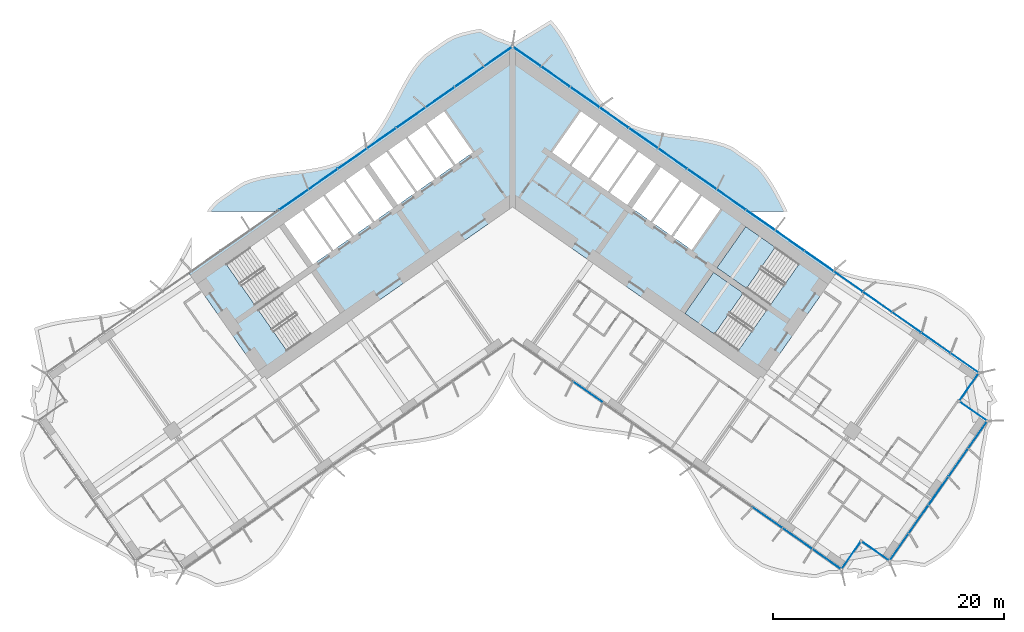
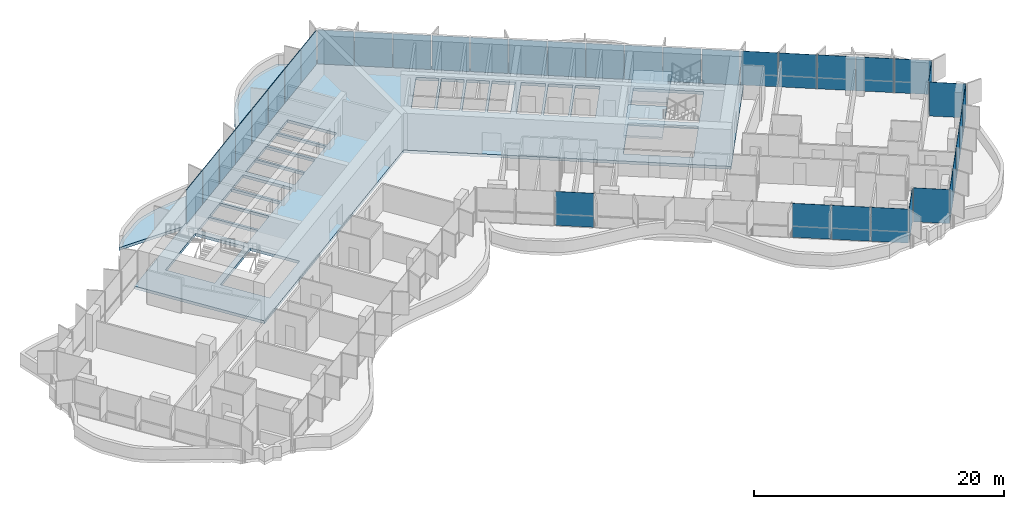
# One storey, part 11 of 23: 37 plates, 4 slabs, 4 elements without a shape of their own.
"""IFC4 building model written with IfcOpenShell, lengths in metres."""

from ifc_helpers import new_model, si_unit, direction, frame, origin, origin_2d, place, context, subcontext, project, spatial, polyline, rectangle, outline, extrude, material, layer, layer_set, type_object, element, aggregate, save


model = new_model("IFC4")

# Units and contexts
model_context = context("Model", 3, precision=1e-05, world=origin(), true_north=direction((0.0, 1.0)))
body_context = subcontext(model_context, "Body", "Model", "MODEL_VIEW")
ifc_project = project(units=[si_unit("LENGTHUNIT", "METRE"), si_unit("AREAUNIT", "SQUARE_METRE"), si_unit("VOLUMEUNIT", "CUBIC_METRE"), si_unit("PLANEANGLEUNIT", "RADIAN"), si_unit("MASSUNIT", "GRAM", prefix="KILO")], contexts=[model_context])

# Site, building, storey
site_placement = place(None, origin())
site = spatial("IfcSite", under=ifc_project, at=site_placement, CompositionType="ELEMENT")
building_placement = place(site_placement, origin())
building = spatial("IfcBuilding", under=site, at=building_placement, Name="Tel Ilan Convention Tower", CompositionType="ELEMENT")
storey_placement = place(building_placement, frame((0.0, 0.0, 112.10009765625)))
storey = spatial("IfcBuildingStorey", under=building, at=storey_placement, Name="L24", CompositionType="ELEMENT", Elevation=112.10009765625)

# Curtain wall, plates
ifc_material_1 = material(Name="Aluminium, bronze anodised", Category="aluminium")
curtain_wall_type_1 = type_object("IfcCurtainWallType", Name="CW1 UNITISED CURTAIN WALL, HOTEL TINTED GLASS", PredefinedType="NOTDEFINED", material=ifc_material_1)
curtain_wall_1_placement = place(storey_placement, origin())
curtain_wall_1 = element("IfcCurtainWall", 1, at=curtain_wall_1_placement, inside=storey, type_object=curtain_wall_type_1, Name="Curtain wall CW1-20.02", PredefinedType="NOTDEFINED")
ifc_material_2 = material(Name="Glass, bronze tinted, two-ply unitised", Category="glass")
ifc_layer_1 = layer(ifc_material_2, 0.028076171875)
ifc_layer_set_1 = layer_set([ifc_layer_1], Name="CW HOTEL GLASS PANEL 28")
plate_type_1 = type_object("IfcPlateType", Name="CW HOTEL GLASS PANEL 28", PredefinedType="CURTAIN_PANEL", material=ifc_layer_set_1)
plate_1_placement = place(storey_placement, frame((6.544921875, -17.27880859375, 0.0), z_axis=(0.0, 0.0, 1.0), x_axis=(0.819152044289, -0.573576436351, 0.0)))
plate_1 = element("IfcPlate", 2, at=plate_1_placement, type_object=plate_type_1, Name="Glass panel", PredefinedType="CURTAIN_PANEL", context=body_context, shape_type="SweptSolid", body=[
    extrude(rectangle(XDim=3.10791015625, YDim=0.028076171875, at=origin_2d()), origin(), (0.0, 0.0, 1.0), 3.320068359375),
])
plate_2_placement = place(storey_placement, frame((22.115478515625, -28.181396484375, 0.0), z_axis=(0.0, 0.0, 1.0), x_axis=(0.819152044289, -0.573576436351, 0.0)))
plate_2 = element("IfcPlate", 3, at=plate_2_placement, type_object=plate_type_1, Name="Glass panel", PredefinedType="CURTAIN_PANEL", context=body_context, shape_type="SweptSolid", body=[
    extrude(rectangle(XDim=3.10791015625, YDim=0.028076171875, at=origin_2d()), origin(), (0.0, 0.0, 1.0), 3.320068359375),
])
plate_3_placement = place(storey_placement, frame((24.71044921875, -29.99853515625, 0.0), z_axis=(0.0, 0.0, 1.0), x_axis=(0.819152044289, -0.573576436351, 0.0)))
plate_3 = element("IfcPlate", 4, at=plate_3_placement, type_object=plate_type_1, Name="Glass panel", PredefinedType="CURTAIN_PANEL", context=body_context, shape_type="SweptSolid", body=[
    extrude(rectangle(XDim=3.10791015625, YDim=0.028076171875, at=origin_2d()), origin(), (0.0, 0.0, 1.0), 3.320068359375),
])
plate_4_placement = place(storey_placement, frame((27.26708984375, -31.78857421875, 0.0), z_axis=(0.0, 0.0, 1.0), x_axis=(0.819152044289, -0.573576436351, 0.0)))
plate_4 = element("IfcPlate", 5, at=plate_4_placement, type_object=plate_type_1, Name="Glass panel", PredefinedType="CURTAIN_PANEL", context=body_context, shape_type="SweptSolid", body=[
    extrude(rectangle(XDim=3.013916015625, YDim=0.028076171875, at=origin_2d()), origin(), (0.0, 0.0, 1.0), 3.320068359375),
])
plate_5_placement = place(storey_placement, frame((29.359375, -31.469482421875, 0.0), z_axis=(0.0, 0.0, 1.0), x_axis=(0.573576436351, 0.819152044289, 0.0)))
plate_5 = element("IfcPlate", 6, at=plate_5_placement, type_object=plate_type_1, Name="Glass panel", PredefinedType="CURTAIN_PANEL", context=body_context, shape_type="SweptSolid", body=[
    extrude(rectangle(XDim=2.875, YDim=0.028076171875, at=origin_2d()), origin(), (0.0, 0.0, 1.0), 3.320068359375),
])
plate_6_placement = place(storey_placement, frame((31.502197265625, -31.091796875, 0.0), z_axis=(0.0, 0.0, 1.0), x_axis=(0.819152044289, -0.573576436351, 0.0)))
plate_6 = element("IfcPlate", 7, at=plate_6_placement, type_object=plate_type_1, Name="Glass panel", PredefinedType="CURTAIN_PANEL", context=body_context, shape_type="SweptSolid", body=[
    extrude(rectangle(XDim=2.875, YDim=0.028076171875, at=origin_2d()), origin(), (0.0, 0.0, 1.0), 3.320068359375),
])
plate_7_placement = place(storey_placement, frame((33.529296875, -30.74462890625, 0.0), z_axis=(0.0, 0.0, 1.0), x_axis=(0.573576436351, 0.819152044289, 0.0)))
plate_7 = element("IfcPlate", 8, at=plate_7_placement, type_object=plate_type_1, Name="Glass panel", PredefinedType="CURTAIN_PANEL", context=body_context, shape_type="SweptSolid", body=[
    extrude(rectangle(XDim=2.845947265625, YDim=0.028076171875, at=origin_2d()), origin(), (0.0, 0.0, 1.0), 3.320068359375),
])
plate_8_placement = place(storey_placement, frame((35.22314453125, -28.32568359375, 0.0), z_axis=(0.0, 0.0, 1.0), x_axis=(0.573576436351, 0.819152044289, 0.0)))
plate_8 = element("IfcPlate", 9, at=plate_8_placement, type_object=plate_type_1, Name="Glass panel", PredefinedType="CURTAIN_PANEL", context=body_context, shape_type="SweptSolid", body=[
    extrude(rectangle(XDim=2.93994140625, YDim=0.028076171875, at=origin_2d()), origin(), (0.0, 0.0, 1.0), 3.320068359375),
])
plate_9_placement = place(storey_placement, frame((36.94384765625, -25.868408203125, 0.0), z_axis=(0.0, 0.0, 1.0), x_axis=(0.573576436351, 0.819152044289, 0.0)))
plate_9 = element("IfcPlate", 10, at=plate_9_placement, type_object=plate_type_1, Name="Glass panel", PredefinedType="CURTAIN_PANEL", context=body_context, shape_type="SweptSolid", body=[
    extrude(rectangle(XDim=2.93994140625, YDim=0.028076171875, at=origin_2d()), origin(), (0.0, 0.0, 1.0), 3.320068359375),
])
plate_10_placement = place(storey_placement, frame((38.66455078125, -23.410888671875, 0.0), z_axis=(0.0, 0.0, 1.0), x_axis=(0.573576436351, 0.819152044289, 0.0)))
plate_10 = element("IfcPlate", 11, at=plate_10_placement, type_object=plate_type_1, Name="Glass panel", PredefinedType="CURTAIN_PANEL", context=body_context, shape_type="SweptSolid", body=[
    extrude(rectangle(XDim=2.93994140625, YDim=0.028076171875, at=origin_2d()), origin(), (0.0, 0.0, 1.0), 3.320068359375),
])
plate_11_placement = place(storey_placement, frame((40.358154296875, -20.991943359375, 0.0), z_axis=(0.0, 0.0, 1.0), x_axis=(0.573576436351, 0.819152044289, 0.0)))
plate_11 = element("IfcPlate", 12, at=plate_11_placement, type_object=plate_type_1, Name="Glass panel", PredefinedType="CURTAIN_PANEL", context=body_context, shape_type="SweptSolid", body=[
    extrude(rectangle(XDim=2.845947265625, YDim=0.028076171875, at=origin_2d()), origin(), (0.0, 0.0, 1.0), 3.320068359375),
])
plate_12_placement = place(storey_placement, frame((39.990966796875, -18.96826171875, 0.0), z_axis=(0.0, 0.0, 1.0), x_axis=(-0.819152044289, 0.573576436351, 0.0)))
plate_12 = element("IfcPlate", 13, at=plate_12_placement, type_object=plate_type_1, Name="Glass panel", PredefinedType="CURTAIN_PANEL", context=body_context, shape_type="SweptSolid", body=[
    extrude(rectangle(XDim=2.875, YDim=0.028076171875, at=origin_2d()), origin(), (0.0, 0.0, 1.0), 3.320068359375),
])
plate_13_placement = place(storey_placement, frame((39.61328125, -16.82568359375, 0.0), z_axis=(0.0, 0.0, 1.0), x_axis=(0.573576436351, 0.819152044289, 0.0)))
plate_13 = element("IfcPlate", 14, at=plate_13_placement, type_object=plate_type_1, Name="Glass panel", PredefinedType="CURTAIN_PANEL", context=body_context, shape_type="SweptSolid", body=[
    extrude(rectangle(XDim=2.875, YDim=0.028076171875, at=origin_2d()), origin(), (0.0, 0.0, 1.0), 3.320068359375),
])
plate_14_placement = place(storey_placement, frame((39.2265625, -14.7705078125, 0.0), z_axis=(0.0, 0.0, 1.0), x_axis=(-0.819152044289, 0.573576436351, 0.0)))
plate_14 = element("IfcPlate", 15, at=plate_14_placement, type_object=plate_type_1, Name="Glass panel", PredefinedType="CURTAIN_PANEL", context=body_context, shape_type="SweptSolid", body=[
    extrude(rectangle(XDim=2.943115234375, YDim=0.028076171875, at=origin_2d()), origin(), (0.0, 0.0, 1.0), 3.320068359375),
])
plate_15_placement = place(storey_placement, frame((36.72802734375, -13.021240234375, 0.0), z_axis=(0.0, 0.0, 1.0), x_axis=(-0.819152044289, 0.573576436351, 0.0)))
plate_15 = element("IfcPlate", 16, at=plate_15_placement, type_object=plate_type_1, Name="Glass panel", PredefinedType="CURTAIN_PANEL", context=body_context, shape_type="SweptSolid", body=[
    extrude(rectangle(XDim=3.037109375, YDim=0.028076171875, at=origin_2d()), origin(), (0.0, 0.0, 1.0), 3.320068359375),
])
plate_16_placement = place(storey_placement, frame((34.191162109375, -11.244873046875, 0.0), z_axis=(0.0, 0.0, 1.0), x_axis=(-0.819152044289, 0.573576436351, 0.0)))
plate_16 = element("IfcPlate", 17, at=plate_16_placement, type_object=plate_type_1, Name="Glass panel", PredefinedType="CURTAIN_PANEL", context=body_context, shape_type="SweptSolid", body=[
    extrude(rectangle(XDim=3.037109375, YDim=0.028076171875, at=origin_2d()), origin(), (0.0, 0.0, 1.0), 3.320068359375),
])
plate_17_placement = place(storey_placement, frame((31.654296875, -9.468505859375, 0.0), z_axis=(0.0, 0.0, 1.0), x_axis=(-0.819152044289, 0.573576436351, 0.0)))
plate_17 = element("IfcPlate", 18, at=plate_17_placement, type_object=plate_type_1, Name="Glass panel", PredefinedType="CURTAIN_PANEL", context=body_context, shape_type="SweptSolid", body=[
    extrude(rectangle(XDim=3.037109375, YDim=0.028076171875, at=origin_2d()), origin(), (0.0, 0.0, 1.0), 3.320068359375),
])
plate_18_placement = place(storey_placement, frame((29.1171875, -7.692138671875, 0.0), z_axis=(0.0, 0.0, 1.0), x_axis=(-0.819152044289, 0.573576436351, 0.0)))
plate_18 = element("IfcPlate", 19, at=plate_18_placement, type_object=plate_type_1, Name="Glass panel", PredefinedType="CURTAIN_PANEL", context=body_context, shape_type="SweptSolid", body=[
    extrude(rectangle(XDim=3.037109375, YDim=0.028076171875, at=origin_2d()), origin(), (0.0, 0.0, 1.0), 3.320068359375),
])
aggregate(curtain_wall_1, [plate_1, plate_2, plate_3, plate_4, plate_5, plate_6, plate_7, plate_8, plate_9, plate_10, plate_11, plate_12, plate_13, plate_14, plate_15, plate_16, plate_17, plate_18])

ifc_material_3 = material(Name="Aluminium, bronze anodised", Category="aluminium")
curtain_wall_type_2 = type_object("IfcCurtainWallType", Name="CW2 STICK CURTAIN WALL, SPANDREL PANELS", PredefinedType="NOTDEFINED", material=ifc_material_3)
curtain_wall_2_placement = place(storey_placement, origin())
curtain_wall_2 = element("IfcCurtainWall", 20, at=curtain_wall_2_placement, inside=storey, type_object=curtain_wall_type_2, Name="Curtain wall CW2-20.01", PredefinedType="NOTDEFINED")
ifc_material_4 = material(Name="Aluminium composite panel, bronze anodised", Category="aluminium")
ifc_layer_2 = layer(ifc_material_4, 0.06005859375)
ifc_layer_set_2 = layer_set([ifc_layer_2], Name="CW SPANDREL PANEL 60")
plate_type_2 = type_object("IfcPlateType", Name="CW SPANDREL PANEL 60", PredefinedType="CURTAIN_PANEL", material=ifc_layer_set_2)
plate_19_placement = place(storey_placement, frame((26.580322265625, -5.915771484375, 0.0), z_axis=(0.0, 0.0, 1.0), x_axis=(-0.819152044289, 0.573576436351, 0.0)))
plate_19 = element("IfcPlate", 21, at=plate_19_placement, type_object=plate_type_2, Name="Spandrel panel", PredefinedType="CURTAIN_PANEL", context=body_context, shape_type="SweptSolid", body=[
    extrude(rectangle(XDim=3.037109375, YDim=0.06005859375, at=origin_2d()), origin(), (0.0, 0.0, 1.0), 3.320068359375),
])
plate_20_placement = place(storey_placement, frame((24.04345703125, -4.139404296875, 0.0), z_axis=(0.0, 0.0, 1.0), x_axis=(-0.819152044289, 0.573576436351, 0.0)))
plate_20 = element("IfcPlate", 22, at=plate_20_placement, type_object=plate_type_2, Name="Spandrel panel", PredefinedType="CURTAIN_PANEL", context=body_context, shape_type="SweptSolid", body=[
    extrude(rectangle(XDim=3.037109375, YDim=0.06005859375, at=origin_2d()), origin(), (0.0, 0.0, 1.0), 3.320068359375),
])
plate_21_placement = place(storey_placement, frame((21.506591796875, -2.363037109375, 0.0), z_axis=(0.0, 0.0, 1.0), x_axis=(-0.819152044289, 0.573576436351, 0.0)))
plate_21 = element("IfcPlate", 23, at=plate_21_placement, type_object=plate_type_2, Name="Spandrel panel", PredefinedType="CURTAIN_PANEL", context=body_context, shape_type="SweptSolid", body=[
    extrude(rectangle(XDim=3.037109375, YDim=0.06005859375, at=origin_2d()), origin(), (0.0, 0.0, 1.0), 3.320068359375),
])
plate_22_placement = place(storey_placement, frame((18.969482421875, -0.586669921875, 0.0), z_axis=(0.0, 0.0, 1.0), x_axis=(-0.819152044289, 0.573576436351, 0.0)))
plate_22 = element("IfcPlate", 24, at=plate_22_placement, type_object=plate_type_2, Name="Spandrel panel", PredefinedType="CURTAIN_PANEL", context=body_context, shape_type="SweptSolid", body=[
    extrude(rectangle(XDim=3.037109375, YDim=0.06005859375, at=origin_2d()), origin(), (0.0, 0.0, 1.0), 3.320068359375),
])
plate_23_placement = place(storey_placement, frame((16.4326171875, 1.189697265625, 0.0), z_axis=(0.0, 0.0, 1.0), x_axis=(-0.819152044289, 0.573576436351, 0.0)))
plate_23 = element("IfcPlate", 25, at=plate_23_placement, type_object=plate_type_2, Name="Spandrel panel", PredefinedType="CURTAIN_PANEL", context=body_context, shape_type="SweptSolid", body=[
    extrude(rectangle(XDim=3.037109375, YDim=0.06005859375, at=origin_2d()), origin(), (0.0, 0.0, 1.0), 3.320068359375),
])
plate_24_placement = place(storey_placement, frame((13.895751953125, 2.966064453125, 0.0), z_axis=(0.0, 0.0, 1.0), x_axis=(-0.819152044289, 0.573576436351, 0.0)))
plate_24 = element("IfcPlate", 26, at=plate_24_placement, type_object=plate_type_2, Name="Spandrel panel", PredefinedType="CURTAIN_PANEL", context=body_context, shape_type="SweptSolid", body=[
    extrude(rectangle(XDim=3.037109375, YDim=0.06005859375, at=origin_2d()), origin(), (0.0, 0.0, 1.0), 3.320068359375),
])
plate_25_placement = place(storey_placement, frame((11.35888671875, 4.742431640625, 0.0), z_axis=(0.0, 0.0, 1.0), x_axis=(-0.819152044289, 0.573576436351, 0.0)))
plate_25 = element("IfcPlate", 27, at=plate_25_placement, type_object=plate_type_2, Name="Spandrel panel", PredefinedType="CURTAIN_PANEL", context=body_context, shape_type="SweptSolid", body=[
    extrude(rectangle(XDim=3.037109375, YDim=0.06005859375, at=origin_2d()), origin(), (0.0, 0.0, 1.0), 3.320068359375),
])
plate_26_placement = place(storey_placement, frame((8.82177734375, 6.518798828125, 0.0), z_axis=(0.0, 0.0, 1.0), x_axis=(-0.819152044289, 0.573576436351, 0.0)))
plate_26 = element("IfcPlate", 28, at=plate_26_placement, type_object=plate_type_2, Name="Spandrel panel", PredefinedType="CURTAIN_PANEL", context=body_context, shape_type="SweptSolid", body=[
    extrude(rectangle(XDim=3.037109375, YDim=0.06005859375, at=origin_2d()), origin(), (0.0, 0.0, 1.0), 3.320068359375),
])
plate_27_placement = place(storey_placement, frame((6.284912109375, 8.295166015625, 0.0), z_axis=(0.0, 0.0, 1.0), x_axis=(-0.819152044289, 0.573576436351, 0.0)))
plate_27 = element("IfcPlate", 29, at=plate_27_placement, type_object=plate_type_2, Name="Spandrel panel", PredefinedType="CURTAIN_PANEL", context=body_context, shape_type="SweptSolid", body=[
    extrude(rectangle(XDim=3.037109375, YDim=0.06005859375, at=origin_2d()), origin(), (0.0, 0.0, 1.0), 3.320068359375),
])
plate_28_placement = place(storey_placement, frame((3.748046875, 10.07177734375, 0.0), z_axis=(0.0, 0.0, 1.0), x_axis=(-0.819152044289, 0.573576436351, 0.0)))
plate_28 = element("IfcPlate", 30, at=plate_28_placement, type_object=plate_type_2, Name="Spandrel panel", PredefinedType="CURTAIN_PANEL", context=body_context, shape_type="SweptSolid", body=[
    extrude(rectangle(XDim=3.037109375, YDim=0.06005859375, at=origin_2d()), origin(), (0.0, 0.0, 1.0), 3.320068359375),
])
plate_29_placement = place(storey_placement, frame((1.256103515625, 11.81640625, 0.0), z_axis=(0.0, 0.0, 1.0), x_axis=(-0.819152044289, 0.573576436351, 0.0)))
plate_29 = element("IfcPlate", 31, at=plate_29_placement, type_object=plate_type_2, Name="Spandrel panel", PredefinedType="CURTAIN_PANEL", context=body_context, shape_type="SweptSolid", body=[
    extrude(rectangle(XDim=2.927001953125, YDim=0.06005859375, at=origin_2d()), origin(), (0.0, 0.0, 1.0), 3.320068359375),
])
plate_30_placement = place(storey_placement, frame((-1.256103515625, 11.81640625, 0.0), z_axis=(0.0, 0.0, 1.0), x_axis=(-0.819152044289, -0.573576436351, 0.0)))
plate_30 = element("IfcPlate", 32, at=plate_30_placement, type_object=plate_type_2, Name="Spandrel panel", PredefinedType="CURTAIN_PANEL", context=body_context, shape_type="SweptSolid", body=[
    extrude(rectangle(XDim=2.927001953125, YDim=0.06005859375, at=origin_2d()), origin(), (0.0, 0.0, 1.0), 3.320068359375),
])
plate_31_placement = place(storey_placement, frame((-3.748046875, 10.07177734375, 0.0), z_axis=(0.0, 0.0, 1.0), x_axis=(-0.819152044289, -0.573576436351, 0.0)))
plate_31 = element("IfcPlate", 33, at=plate_31_placement, type_object=plate_type_2, Name="Spandrel panel", PredefinedType="CURTAIN_PANEL", context=body_context, shape_type="SweptSolid", body=[
    extrude(rectangle(XDim=3.037109375, YDim=0.06005859375, at=origin_2d()), origin(), (0.0, 0.0, 1.0), 3.320068359375),
])
plate_32_placement = place(storey_placement, frame((-6.284912109375, 8.295166015625, 0.0), z_axis=(0.0, 0.0, 1.0), x_axis=(-0.819152044289, -0.573576436351, 0.0)))
plate_32 = element("IfcPlate", 34, at=plate_32_placement, type_object=plate_type_2, Name="Spandrel panel", PredefinedType="CURTAIN_PANEL", context=body_context, shape_type="SweptSolid", body=[
    extrude(rectangle(XDim=3.037109375, YDim=0.06005859375, at=origin_2d()), origin(), (0.0, 0.0, 1.0), 3.320068359375),
])
plate_33_placement = place(storey_placement, frame((-8.82177734375, 6.518798828125, 0.0), z_axis=(0.0, 0.0, 1.0), x_axis=(-0.819152044289, -0.573576436351, 0.0)))
plate_33 = element("IfcPlate", 35, at=plate_33_placement, type_object=plate_type_2, Name="Spandrel panel", PredefinedType="CURTAIN_PANEL", context=body_context, shape_type="SweptSolid", body=[
    extrude(rectangle(XDim=3.037109375, YDim=0.06005859375, at=origin_2d()), origin(), (0.0, 0.0, 1.0), 3.320068359375),
])
plate_34_placement = place(storey_placement, frame((-11.35888671875, 4.742431640625, 0.0), z_axis=(0.0, 0.0, 1.0), x_axis=(-0.819152044289, -0.573576436351, 0.0)))
plate_34 = element("IfcPlate", 36, at=plate_34_placement, type_object=plate_type_2, Name="Spandrel panel", PredefinedType="CURTAIN_PANEL", context=body_context, shape_type="SweptSolid", body=[
    extrude(rectangle(XDim=3.037109375, YDim=0.06005859375, at=origin_2d()), origin(), (0.0, 0.0, 1.0), 3.320068359375),
])
plate_35_placement = place(storey_placement, frame((-13.895751953125, 2.966064453125, 0.0), z_axis=(0.0, 0.0, 1.0), x_axis=(-0.819152044289, -0.573576436351, 0.0)))
plate_35 = element("IfcPlate", 37, at=plate_35_placement, type_object=plate_type_2, Name="Spandrel panel", PredefinedType="CURTAIN_PANEL", context=body_context, shape_type="SweptSolid", body=[
    extrude(rectangle(XDim=3.037109375, YDim=0.06005859375, at=origin_2d()), origin(), (0.0, 0.0, 1.0), 3.320068359375),
])
plate_36_placement = place(storey_placement, frame((-16.4326171875, 1.189697265625, 0.0), z_axis=(0.0, 0.0, 1.0), x_axis=(-0.819152044289, -0.573576436351, 0.0)))
plate_36 = element("IfcPlate", 38, at=plate_36_placement, type_object=plate_type_2, Name="Spandrel panel", PredefinedType="CURTAIN_PANEL", context=body_context, shape_type="SweptSolid", body=[
    extrude(rectangle(XDim=3.037109375, YDim=0.06005859375, at=origin_2d()), origin(), (0.0, 0.0, 1.0), 3.320068359375),
])
plate_37_placement = place(storey_placement, frame((-18.969482421875, -0.586669921875, 0.0), z_axis=(0.0, 0.0, 1.0), x_axis=(-0.819152044289, -0.573576436351, 0.0)))
plate_37 = element("IfcPlate", 39, at=plate_37_placement, type_object=plate_type_2, Name="Spandrel panel", PredefinedType="CURTAIN_PANEL", context=body_context, shape_type="SweptSolid", body=[
    extrude(rectangle(XDim=3.037109375, YDim=0.06005859375, at=origin_2d()), origin(), (0.0, 0.0, 1.0), 3.320068359375),
])
aggregate(curtain_wall_2, [plate_19, plate_20, plate_21, plate_22, plate_23, plate_24, plate_25, plate_26, plate_27, plate_28, plate_29, plate_30, plate_31, plate_32, plate_33, plate_34, plate_35, plate_36, plate_37])

# Stair, slab
ifc_material_5 = material(Name="Concrete C40/50", Category="concrete")
stair_type = type_object("IfcStairType", Name="Pressurised Exit Stair 20 risers 180 mm", PredefinedType="HALF_TURN_STAIR", material=ifc_material_5)
stair_1_placement = place(storey_placement, origin())
stair_1 = element("IfcStair", 40, at=stair_1_placement, inside=storey, type_object=stair_type, Name="L24 Pressurised Stair S3", PredefinedType="HALF_TURN_STAIR")
ifc_material_6 = material(Name="Concrete C40/50", Category="concrete")
ifc_layer_3 = layer(ifc_material_6, 0.199951171875)
ifc_layer_set_3 = layer_set([ifc_layer_3], Name="Concrete Stair Landing 200 mm C40/50")
slab_type_1 = type_object("IfcSlabType", Name="Concrete Stair Landing 200 mm", PredefinedType="LANDING", material=ifc_layer_set_3)
slab_1_placement = place(storey_placement, frame((0.0, 0.0, 1.599853515625)))
slab_1 = element("IfcSlab", 41, at=slab_1_placement, type_object=slab_type_1, Name="S3 landing 1", PredefinedType="LANDING", context=body_context, shape_type="SweptSolid", body=[
    extrude(outline(polyline([(22.791015625, -4.727294921875), (20.226318359375, -2.931640625), (17.7314453125, -6.494873046875), (20.2958984375, -8.29052734375), (22.791015625, -4.727294921875)])), origin(), (0.0, 0.0, 1.0), 0.199951171875),
])
aggregate(stair_1, [slab_1])

stair_2_placement = place(storey_placement, origin())
stair_2 = element("IfcStair", 42, at=stair_2_placement, inside=storey, type_object=stair_type, Name="L24 Pressurised Stair S4", PredefinedType="HALF_TURN_STAIR")
slab_2_placement = place(storey_placement, frame((0.0, 0.0, 1.599853515625)))
slab_2 = element("IfcSlab", 43, at=slab_2_placement, type_object=slab_type_1, Name="S4 landing 1", PredefinedType="LANDING", context=body_context, shape_type="SweptSolid", body=[
    extrude(outline(polyline([(20.00927734375, -8.7001953125), (17.444580078125, -6.904541015625), (14.949462890625, -10.4677734375), (17.51416015625, -12.263427734375), (20.00927734375, -8.7001953125)])), origin(), (0.0, 0.0, 1.0), 0.199951171875),
])
aggregate(stair_2, [slab_2])

# Slabs
ifc_material_7 = material(Name="Concrete C40/50", Category="concrete")
ifc_layer_4 = layer(ifc_material_7, 0.280029296875)
ifc_layer_set_4 = layer_set([ifc_layer_4], Name="Core Floor Slab 280 mm C40/50")
slab_type_2 = type_object("IfcSlabType", Name="Core Floor Slab 280 mm C40/50", PredefinedType="FLOOR", material=ifc_layer_set_4)
slab_3_placement = place(storey_placement, frame((0.0, 0.0, -0.280029296875)))
element("IfcSlab", 44, at=slab_3_placement, inside=storey, type_object=slab_type_2, Name="L24 core floor 1", PredefinedType="FLOOR", context=body_context, shape_type="SweptSolid", body=[
    extrude(outline(polyline([(-28.1396484375, -6.885498046875), (0.0, 12.818115234375), (28.1396484375, -6.885498046875), (21.54345703125, -16.3056640625), (0.0, -1.220703125), (-21.54345703125, -16.3056640625), (-28.1396484375, -6.885498046875)]), holes=[polyline([(-14.949462890625, -10.4677734375), (-17.444580078125, -6.904541015625), (-22.072021484375, -10.144775390625), (-19.5771484375, -13.7080078125), (-14.949462890625, -10.4677734375)]), polyline([(-17.7314453125, -6.494873046875), (-20.226318359375, -2.931640625), (-24.85400390625, -6.171875), (-22.35888671875, -9.735107421875), (-17.7314453125, -6.494873046875)]), polyline([(-18.198974609375, -1.511962890625), (-19.81689453125, -2.644775390625), (-17.32177734375, -6.2080078125), (-15.7041015625, -5.0751953125), (-18.198974609375, -1.511962890625)]), polyline([(-16.41748046875, -0.264404296875), (-18.03515625, -1.397216796875), (-15.5400390625, -4.960693359375), (-13.92236328125, -3.827880859375), (-16.41748046875, -0.264404296875)]), polyline([(-14.6357421875, 0.983154296875), (-16.25341796875, -0.149658203125), (-13.758544921875, -3.712890625), (-12.140625, -2.580078125), (-14.6357421875, 0.983154296875)]), polyline([(-12.85400390625, 2.230712890625), (-14.471923828125, 1.097900390625), (-11.976806640625, -2.465576171875), (-10.35888671875, -1.332763671875), (-12.85400390625, 2.230712890625)]), polyline([(-10.939208984375, 3.5712890625), (-12.444580078125, 2.517333984375), (-9.949462890625, -1.0458984375), (-8.444091796875, 0.008056640625), (-10.939208984375, 3.5712890625)]), polyline([(-6.775146484375, 1.1767578125), (-9.270263671875, 4.739990234375), (-10.775390625, 3.68603515625), (-8.280517578125, 0.122802734375), (-6.775146484375, 1.1767578125)]), polyline([(-5.106201171875, 2.345458984375), (-7.601318359375, 5.90869140625), (-9.1064453125, 4.854736328125), (-6.611328125, 1.29150390625), (-5.106201171875, 2.345458984375)]), polyline([(-5.93212890625, 7.077392578125), (-7.4375, 6.0234375), (-4.9423828125, 2.460205078125), (-3.437255859375, 3.513916015625), (-5.93212890625, 7.077392578125)]), polyline([(17.444580078125, -6.904541015625), (14.949462890625, -10.4677734375), (19.5771484375, -13.7080078125), (22.072021484375, -10.144775390625), (17.444580078125, -6.904541015625)]), polyline([(20.226318359375, -2.931640625), (17.7314453125, -6.494873046875), (22.35888671875, -9.735107421875), (24.85400390625, -6.171875), (20.226318359375, -2.931640625)]), polyline([(13.92236328125, -3.827880859375), (15.5400390625, -4.960693359375), (18.03515625, -1.397216796875), (16.41748046875, -0.264404296875), (13.92236328125, -3.827880859375)]), polyline([(12.140625, -2.580078125), (13.758544921875, -3.712890625), (16.25341796875, -0.149658203125), (14.6357421875, 0.983154296875), (12.140625, -2.580078125)]), polyline([(11.976806640625, -2.465576171875), (14.471923828125, 1.097900390625), (12.85400390625, 2.230712890625), (10.35888671875, -1.332763671875), (11.976806640625, -2.465576171875)]), polyline([(9.949462890625, -1.0458984375), (12.444580078125, 2.517333984375), (10.939208984375, 3.5712890625), (8.444091796875, 0.008056640625), (9.949462890625, -1.0458984375)]), polyline([(8.280517578125, 0.122802734375), (10.775390625, 3.68603515625), (9.270263671875, 4.739990234375), (6.775146484375, 1.1767578125), (8.280517578125, 0.122802734375)]), polyline([(5.106201171875, 2.345458984375), (6.611328125, 1.29150390625), (9.1064453125, 4.854736328125), (7.601318359375, 5.90869140625), (5.106201171875, 2.345458984375)]), polyline([(3.437255859375, 3.513916015625), (4.9423828125, 2.460205078125), (7.4375, 6.0234375), (5.93212890625, 7.077392578125), (3.437255859375, 3.513916015625)])]), origin(), (0.0, 0.0, 1.0), 0.280029296875),
])
ifc_material_8 = material(Name="Concrete C40/50", Category="concrete")
ifc_layer_5 = layer(ifc_material_8, 0.280029296875)
ifc_layer_set_5 = layer_set([ifc_layer_5], Name="Edge Ledge Slab 280 mm C40/50")
slab_type_3 = type_object("IfcSlabType", Name="Edge Ledge Slab 280 mm C40/50", PredefinedType="FLOOR", material=ifc_layer_set_5)
slab_4_placement = place(storey_placement, frame((0.0, 0.0, -0.280029296875)))
element("IfcSlab", 45, at=slab_4_placement, inside=storey, type_object=slab_type_3, Name="L24 edge ledge 2", PredefinedType="FLOOR", context=body_context, shape_type="SweptSolid", body=[
    extrude(outline(polyline([(-23.301513671875, 0.96630859375), (-22.57568359375, 1.218994140625), (-21.812744140625, 1.4189453125), (-21.02001953125, 1.576171875), (-20.205810546875, 1.70263671875), (-19.37890625, 1.811279296875), (-18.5498046875, 1.91650390625), (-17.727783203125, 2.0322265625), (-16.923095703125, 2.172119140625), (-16.14404296875, 2.34912109375), (-15.398681640625, 2.573974609375), (-14.7119140625, 2.8828125), (-12.89453125, 4.155517578125), (-12.326416015625, 4.6337890625), (-11.845703125, 5.236572265625), (-11.401123046875, 5.89111328125), (-10.985595703125, 6.5869140625), (-10.59033203125, 7.311767578125), (-10.206298828125, 8.052734375), (-9.823486328125, 8.79541015625), (-9.431884765625, 9.52587890625), (-9.022216796875, 10.230224609375), (-8.585693359375, 10.896240234375), (-8.11474609375, 11.512939453125), (-7.57470703125, 12.031005859375), (-5.757080078125, 13.3037109375), (-5.10009765625, 13.654541015625), (-4.364013671875, 13.89306640625), (-3.593017578125, 14.0810546875), (-2.793212890625, 14.228271484375), (-1.3642578125, 13.47705078125), (-0.172119140625, 13.06396484375), (-0.168701171875, 13.05908203125), (-0.11474609375, 13.09521484375), (0.0, 13.1181640625), (0.11474609375, 13.09521484375), (0.168701171875, 13.05908203125), (0.172119140625, 13.06396484375), (1.732666015625, 14.003173828125), (3.331787109375, 14.997802734375), (3.8291015625, 14.418212890625), (4.28662109375, 13.7822265625), (4.71240234375, 13.100830078125), (5.1142578125, 12.385498046875), (5.50146484375, 11.64892578125), (5.883544921875, 10.9052734375), (6.2705078125, 10.168701171875), (6.672119140625, 9.452880859375), (7.09765625, 8.770751953125), (7.5546875, 8.134033203125), (8.050048828125, 7.55224609375), (8.65380859375, 7.125), (9.865478515625, 6.276611328125), (10.483642578125, 5.8701171875), (11.20458984375, 5.610107421875), (11.963134765625, 5.404052734375), (12.75244140625, 5.241943359375), (13.564697265625, 5.1123046875), (14.390380859375, 5.002197265625), (15.2197265625, 4.8974609375), (16.043212890625, 4.78369140625), (16.8505859375, 4.647705078125), (17.63330078125, 4.47607421875), (18.38330078125, 4.2578125), (19.08544921875, 3.97119140625), (20.903076171875, 2.698486328125), (21.484130859375, 2.239013671875), (21.9697265625, 1.643310546875), (22.418701171875, 0.99462890625), (22.83740234375, 0.3037109375), (23.23486328125, -0.41845703125), (23.619873046875, -1.158203125), (23.86328125, -1.631591796875), (20.63623046875, -1.631591796875), (0.0, 12.818115234375), (-20.63623046875, -1.631591796875), (-26.53369140625, -1.631591796875), (-26.25927734375, -1.2568359375), (-25.749755859375, -0.695068359375), (-23.93212890625, 0.577392578125), (-23.301513671875, 0.96630859375)])), origin(), (0.0, 0.0, 1.0), 0.280029296875),
])

save(model, "model.ifc")
